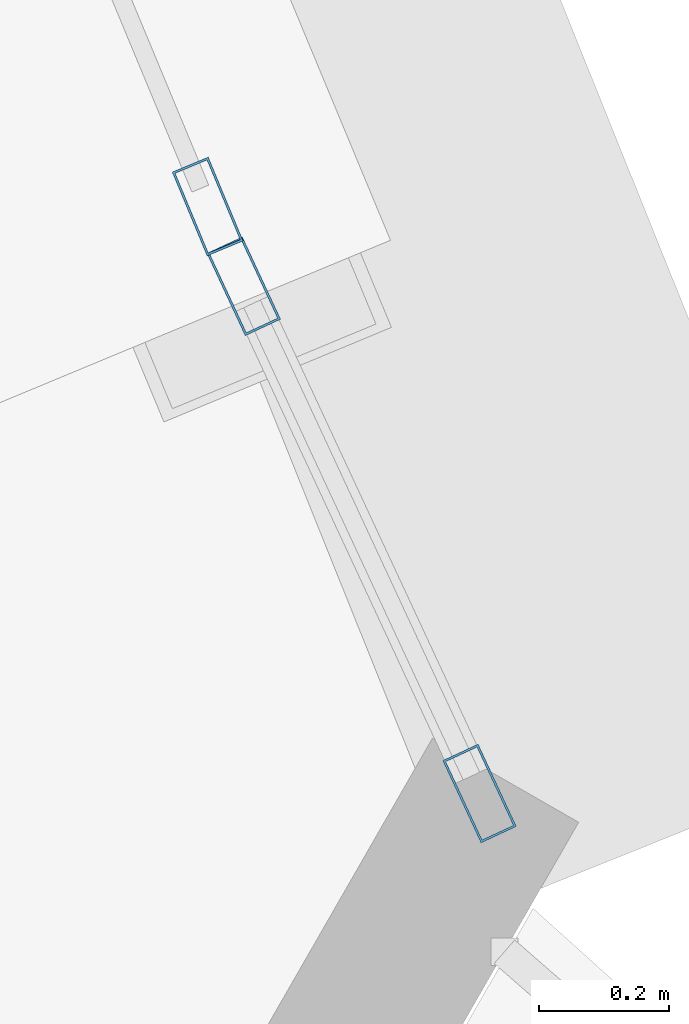
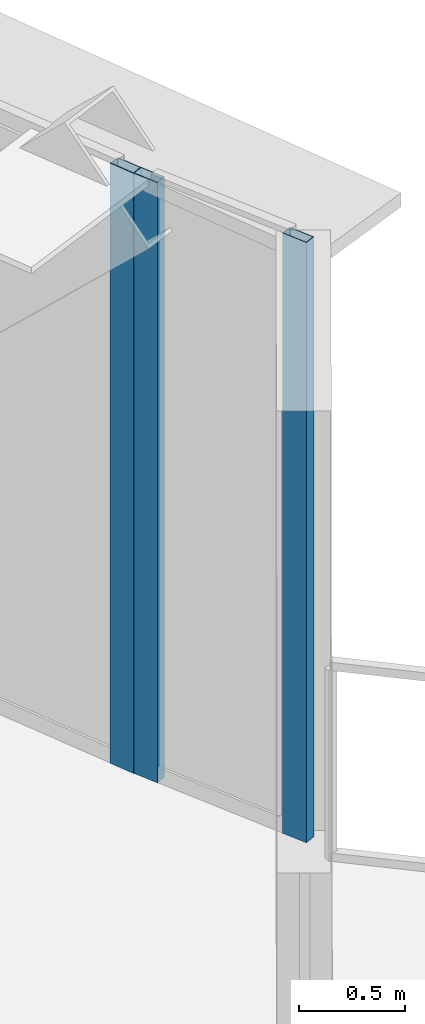
# One storey, part 28 of 39: 3 members, 2 elements without a shape of their own.
"""IFC4 building model written with IfcOpenShell, lengths in metres."""

from ifc_helpers import new_model, si_unit, direction, frame, origin, origin_2d, place, context, subcontext, project, spatial, hollow_rectangle, extrude, source, transform, mapped, material, layer, layer_set, material_profile, profile_set, type_object, element, aggregate, save


model = new_model("IFC4")

# Units and contexts
model_context = context("Model", 3, precision=1e-05, world=origin(), true_north=direction((0.0, 1.0)))
body_context = subcontext(model_context, "Body", "Model", "MODEL_VIEW")
ifc_project = project(units=[si_unit("LENGTHUNIT", "METRE"), si_unit("AREAUNIT", "SQUARE_METRE"), si_unit("VOLUMEUNIT", "CUBIC_METRE"), si_unit("PLANEANGLEUNIT", "RADIAN"), si_unit("MASSUNIT", "GRAM", prefix="KILO"), si_unit("THERMODYNAMICTEMPERATUREUNIT", "KELVIN"), si_unit("POWERUNIT", "WATT")], contexts=[model_context])

# Site, building, storey
site_placement = place(None, origin())
site = spatial("IfcSite", under=ifc_project, at=site_placement, CompositionType="ELEMENT")
building_placement = place(site_placement, origin())
building = spatial("IfcBuilding", under=site, at=building_placement, Name="Yunzhuo Pagoda Commons", CompositionType="ELEMENT")
storey_placement = place(building_placement, frame((0.0, 0.0, 285.02001953125)))
storey = spatial("IfcBuildingStorey", under=building, at=storey_placement, Name="L71", CompositionType="ELEMENT", Elevation=285.02001953125)

# Curtain wall, member
ifc_material = material(Name="Anodized aluminium 6063-T6", Category="aluminium")
ifc_layer = layer(ifc_material, 0.139892578125)
ifc_layer_set = layer_set([ifc_layer], Name="Anodized aluminium 6063-T6")
curtain_wall_type = type_object("IfcCurtainWallType", Name="CW-HI High-Zone Ribbon Curtain Wall", PredefinedType="NOTDEFINED", material=ifc_layer_set)
curtain_wall_1_placement = place(storey_placement, origin())
curtain_wall_1 = element("IfcCurtainWall", 1, at=curtain_wall_1_placement, inside=storey, type_object=curtain_wall_type, Name="L71 curtain wall CW-L71-F2B2", PredefinedType="NOTDEFINED")
ifc_material_profile = material_profile(ifc_material, hollow_rectangle(XDim=0.06005859375, YDim=0.139892578125, WallThickness=0.00341796875, at=origin_2d()), Name="Anodized aluminium 6063-T6")
ifc_profile_set = profile_set([ifc_material_profile], Name="Anodized aluminium 6063-T6")
member_type = type_object("IfcMemberType", Name="CW-HI-M Mullion RHS 140x60x3.5", PredefinedType="MULLION", material=ifc_profile_set)
shared_shape = source(origin(), body_context, "Body", "SweptSolid", [
    extrude(hollow_rectangle(XDim=0.06005859375, YDim=0.139892578125, WallThickness=0.00341796875, at=origin_2d()), origin(), (0.0, 0.0, 1.0), 3.4697265625),
])
member_1_placement = place(storey_placement, frame((80.138671875, 28.058837890625, 0.000244140625), z_axis=(0.0, 0.0, 1.0), x_axis=(-0.923393531316, -0.383854642182, 0.0)))
member_1 = element("IfcMember", 2, at=member_1_placement, type_object=member_type, Name="CW mullion 1", PredefinedType="MULLION", context=body_context, shape_type="MappedRepresentation", body=[
    mapped(shared_shape, transform((0.0, 0.0, 0.0), scale=1.0)),
])
aggregate(curtain_wall_1, [member_1])

# Curtain wall, members
curtain_wall_2_placement = place(storey_placement, origin())
curtain_wall_2 = element("IfcCurtainWall", 3, at=curtain_wall_2_placement, inside=storey, type_object=curtain_wall_type, Name="L71 curtain wall CW-L71-F2B1", PredefinedType="NOTDEFINED")
member_2_placement = place(storey_placement, frame((80.557861328125, 27.15380859375, 0.000244140625), z_axis=(0.0, 0.0, 1.0), x_axis=(-0.906871417291, -0.421407442389, 0.0)))
member_2 = element("IfcMember", 4, at=member_2_placement, type_object=member_type, Name="CW mullion 1", PredefinedType="MULLION", context=body_context, shape_type="MappedRepresentation", body=[
    mapped(shared_shape, transform((0.0, 0.0, 0.0), scale=1.0)),
])
member_3_placement = place(storey_placement, frame((80.1943359375, 27.935791015625, 0.000244140625), z_axis=(0.0, 0.0, 1.0), x_axis=(-0.906871417291, -0.421407442389, 0.0)))
member_3 = element("IfcMember", 5, at=member_3_placement, type_object=member_type, Name="CW mullion 2", PredefinedType="MULLION", context=body_context, shape_type="MappedRepresentation", body=[
    mapped(shared_shape, transform((0.0, 0.0, 0.0), scale=1.0)),
])
aggregate(curtain_wall_2, [member_2, member_3])

save(model, "model.ifc")
